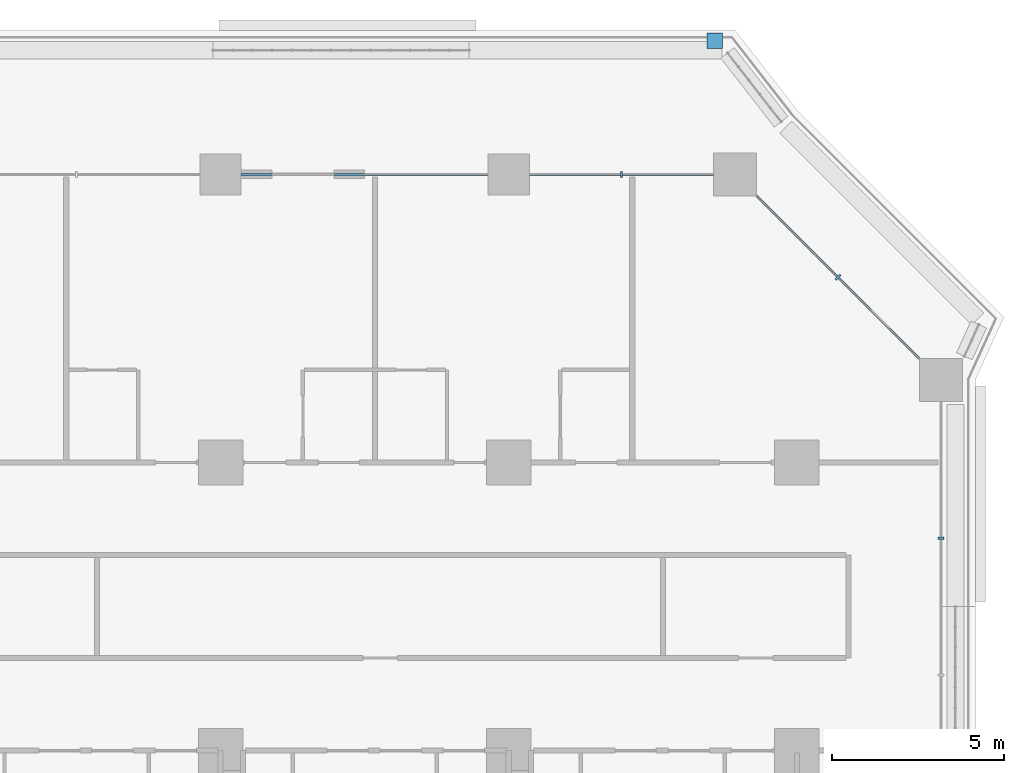
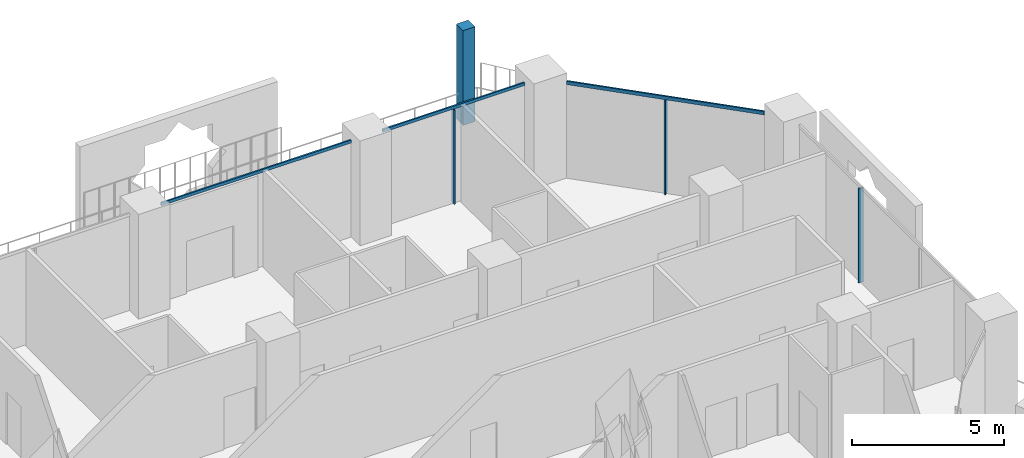
# One storey, part 10 of 29: 7 members, 4 elements without a shape of their own.
"""IFC4 building model written with IfcOpenShell, lengths in metres."""

from ifc_helpers import new_model, si_unit, direction, frame, origin, origin_2d, place, context, subcontext, project, spatial, rectangle, extrude, material, layer, layer_set, material_profile, profile_set, type_object, element, aggregate, save


model = new_model("IFC4")

# Units and contexts
model_context = context("Model", 3, precision=1e-05, world=origin(), true_north=direction((0.0, 1.0)))
body_context = subcontext(model_context, "Body", "Model", "MODEL_VIEW")
ifc_project = project(units=[si_unit("LENGTHUNIT", "METRE"), si_unit("AREAUNIT", "SQUARE_METRE"), si_unit("VOLUMEUNIT", "CUBIC_METRE"), si_unit("PLANEANGLEUNIT", "RADIAN"), si_unit("MASSUNIT", "GRAM", prefix="KILO")], contexts=[model_context])

# Site, building, storey
site_placement = place(None, origin())
site = spatial("IfcSite", under=ifc_project, at=site_placement, CompositionType="ELEMENT")
building_placement = place(site_placement, origin())
building = spatial("IfcBuilding", under=site, at=building_placement, Name="Kawkab Arch Medical Tower", CompositionType="ELEMENT")
storey_placement = place(building_placement, frame((0.0, 0.0, 60.199951171875)))
storey = spatial("IfcBuildingStorey", under=building, at=storey_placement, Name="L13", CompositionType="ELEMENT", Elevation=60.199951171875)

# Curtain wall, member
ifc_material_1 = material(Name="Bronze anodised aluminium curtain wall frame", Category="aluminium")
ifc_layer_1 = layer(ifc_material_1, 0.159912109375)
ifc_layer_set_1 = layer_set([ifc_layer_1], Name="Bronze anodised aluminium curtain wall frame")
curtain_wall_type_1 = type_object("IfcCurtainWallType", Name="CW1 ward curtain wall", PredefinedType="NOTDEFINED", material=ifc_layer_set_1)
placement = place(storey_placement, origin())
curtain_wall_1 = element("IfcCurtainWall", 1, at=placement, inside=storey, type_object=curtain_wall_type_1, Name="CW1 Ward curtain wall R09", PredefinedType="NOTDEFINED")
ifc_material_2 = material(Name="Bronze anodised aluminium curtain wall frame", Category="aluminium")
ifc_material_profile_1 = material_profile(ifc_material_2, rectangle(XDim=0.179931640625, YDim=0.06005859375, at=origin_2d()), Name="AL 60x180")
ifc_profile_set_1 = profile_set([ifc_material_profile_1], Name="Bronze anodised aluminium curtain wall frame")
member_type_1 = type_object("IfcMemberType", Name="CW1 mullion 60 x 180", PredefinedType="MULLION", material=ifc_profile_set_1)
member_1_placement = place(storey_placement, frame((79.800048828125, -10.6083984375, 0.0), z_axis=(0.0, 0.0, 1.0), x_axis=(-1.0, 0.0, 0.0)))
member_1 = element("IfcMember", 2, at=member_1_placement, type_object=member_type_1, Name="CW1 mullion 1.2", PredefinedType="MULLION", context=body_context, shape_type="SweptSolid", body=[
    extrude(rectangle(XDim=0.179931640625, YDim=0.06005859375, at=origin_2d()), origin(), (0.0, 0.0, 1.0), 3.780029296875),
])
aggregate(curtain_wall_1, [member_1])

# Curtain wall, members
curtain_wall_2 = element("IfcCurtainWall", 3, at=placement, inside=storey, type_object=curtain_wall_type_1, Name="CW1 Ward curtain wall R11", PredefinedType="NOTDEFINED")
member_2_placement = place(storey_placement, frame((70.487548828125, 0.0, 0.0), z_axis=(0.0, 0.0, 1.0), x_axis=(0.0, -1.0, 0.0)))
member_2 = element("IfcMember", 4, at=member_2_placement, type_object=member_type_1, Name="CW1 mullion 1.1", PredefinedType="MULLION", context=body_context, shape_type="SweptSolid", body=[
    extrude(rectangle(XDim=0.179931640625, YDim=0.06005859375, at=origin_2d()), origin(), (0.0, 0.0, 1.0), 3.780029296875),
])
ifc_material_3 = material(Name="Bronze anodised aluminium curtain wall frame", Category="aluminium")
ifc_material_profile_2 = material_profile(ifc_material_3, rectangle(XDim=0.06005859375, YDim=0.1201171875, at=origin_2d()), Name="AL 60x120")
ifc_profile_set_2 = profile_set([ifc_material_profile_2], Name="Bronze anodised aluminium curtain wall frame")
member_type_2 = type_object("IfcMemberType", Name="CW1 transom 120 x 60", PredefinedType="USERDEFINED", material=ifc_profile_set_2)
member_3_placement = place(storey_placement, frame((73.175048828125, 0.0, 3.840087890625), z_axis=(-1.0, 0.0, 0.0), x_axis=(0.0, -1.0, 0.0)))
member_3 = element("IfcMember", 5, at=member_3_placement, type_object=member_type_2, Name="CW1 transom 1", ObjectType="TRANSOM", PredefinedType="USERDEFINED", context=body_context, shape_type="SweptSolid", body=[
    extrude(rectangle(XDim=0.06005859375, YDim=0.1201171875, at=origin_2d()), origin(), (0.0, 0.0, 1.0), 5.375),
])
member_4_placement = place(storey_placement, frame((66.60009765625, 0.0, 3.840087890625), z_axis=(-1.0, 0.0, 0.0), x_axis=(0.0, -1.0, 0.0)))
member_4 = element("IfcMember", 6, at=member_4_placement, type_object=member_type_2, Name="CW1 transom 2", ObjectType="TRANSOM", PredefinedType="USERDEFINED", context=body_context, shape_type="SweptSolid", body=[
    extrude(rectangle(XDim=0.06005859375, YDim=0.1201171875, at=origin_2d()), origin(), (0.0, 0.0, 1.0), 7.2001953125),
])
aggregate(curtain_wall_2, [member_3, member_2, member_4])

ifc_material_4 = material(Name="Bronze anodised aluminium curtain wall frame", Category="aluminium")
ifc_layer_2 = layer(ifc_material_4, 0.159912109375)
ifc_layer_set_2 = layer_set([ifc_layer_2], Name="Bronze anodised aluminium curtain wall frame")
curtain_wall_type_2 = type_object("IfcCurtainWallType", Name="CW2 chamfer curtain wall", PredefinedType="NOTDEFINED", material=ifc_layer_set_2)
curtain_wall_3 = element("IfcCurtainWall", 7, at=placement, inside=storey, type_object=curtain_wall_type_2, Name="CW2 Chamfer curtain wall R10", PredefinedType="NOTDEFINED")
ifc_material_5 = material(Name="Bronze anodised aluminium curtain wall frame", Category="aluminium")
ifc_material_profile_3 = material_profile(ifc_material_5, rectangle(XDim=0.199951171875, YDim=0.06005859375, at=origin_2d()), Name="AL 60x200")
ifc_profile_set_3 = profile_set([ifc_material_profile_3], Name="Bronze anodised aluminium curtain wall frame")
member_type_3 = type_object("IfcMemberType", Name="CW2 mullion 60 x 200", PredefinedType="MULLION", material=ifc_profile_set_3)
member_5_placement = place(storey_placement, frame((76.800048828125, -3.0, 0.0), z_axis=(0.0, 0.0, 1.0), x_axis=(-0.707106781187, -0.707106781187, 0.0)))
member_5 = element("IfcMember", 8, at=member_5_placement, type_object=member_type_3, Name="CW2 mullion 1.1", PredefinedType="MULLION", context=body_context, shape_type="SweptSolid", body=[
    extrude(rectangle(XDim=0.199951171875, YDim=0.06005859375, at=origin_2d()), origin(), (0.0, 0.0, 1.0), 3.760009765625),
])
ifc_material_6 = material(Name="Bronze anodised aluminium curtain wall frame", Category="aluminium")
ifc_material_profile_4 = material_profile(ifc_material_6, rectangle(XDim=0.06005859375, YDim=0.139892578125, at=origin_2d()), Name="AL 60x140")
ifc_profile_set_4 = profile_set([ifc_material_profile_4], Name="Bronze anodised aluminium curtain wall frame")
member_type_4 = type_object("IfcMemberType", Name="CW2 transom 140 x 60", PredefinedType="USERDEFINED", material=ifc_profile_set_4)
member_6_placement = place(storey_placement, frame((79.175048828125, -5.375, 3.830078125), z_axis=(-0.707106781187, 0.707106781187, 0.0), x_axis=(-0.707106781187, -0.707106781187, 0.0)))
member_6 = element("IfcMember", 9, at=member_6_placement, type_object=member_type_4, Name="CW2 transom 1", ObjectType="TRANSOM", PredefinedType="USERDEFINED", context=body_context, shape_type="SweptSolid", body=[
    extrude(rectangle(XDim=0.06005859375, YDim=0.139892578125, at=origin_2d()), origin(), (0.0, 0.0, 1.0), 6.717529296875),
])
aggregate(curtain_wall_3, [member_6, member_5])

# Curtain wall, member
ifc_material_7 = material(Name="Bronze anodised aluminium climber frame, planted", Category="aluminium")
ifc_layer_3 = layer(ifc_material_7, 0.449951171875)
ifc_layer_set_3 = layer_set([ifc_layer_3], Name="Bronze anodised aluminium climber frame, planted")
curtain_wall_type_3 = type_object("IfcCurtainWallType", Name="Planted climber frame", PredefinedType="NOTDEFINED", material=ifc_layer_set_3)
curtain_wall_4 = element("IfcCurtainWall", 10, at=placement, inside=storey, type_object=curtain_wall_type_3, Name="Planted climber frame L13", PredefinedType="NOTDEFINED")
ifc_material_8 = material(Name="Bronze anodised aluminium climber frame, planted", Category="aluminium")
ifc_material_profile_5 = material_profile(ifc_material_8, rectangle(XDim=0.449951171875, YDim=0.449951171875, at=origin_2d()), Name="Post 450x450")
ifc_profile_set_5 = profile_set([ifc_material_profile_5], Name="Bronze anodised aluminium climber frame, planted")
member_type_5 = type_object("IfcMemberType", Name="Planted climber post 450 x 450", PredefinedType="MULLION", material=ifc_profile_set_5)
member_7_placement = place(storey_placement, frame((73.202880859375, 3.89990234375, 0.0), z_axis=(0.0, 0.0, 1.0), x_axis=(1.0, 0.0, 0.0)))
member_7 = element("IfcMember", 11, at=member_7_placement, type_object=member_type_5, Name="Planted climber post L13.LOG-01-01.4", PredefinedType="MULLION", context=body_context, shape_type="SweptSolid", body=[
    extrude(rectangle(XDim=0.449951171875, YDim=0.449951171875, at=origin_2d()), origin(), (0.0, 0.0, 1.0), 3.800048828125),
])
aggregate(curtain_wall_4, [member_7])

save(model, "model.ifc")
